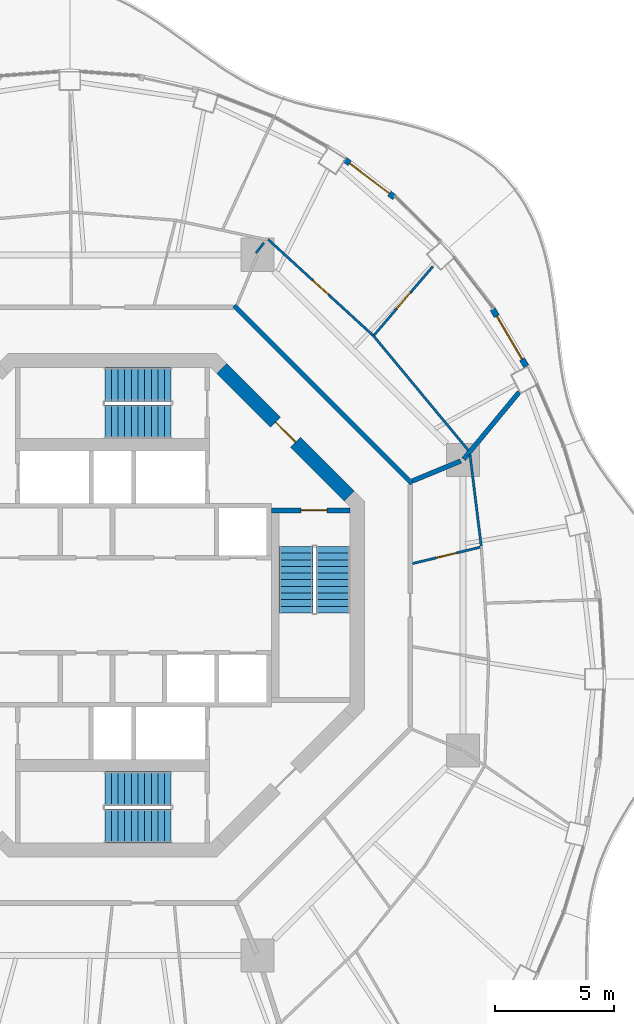
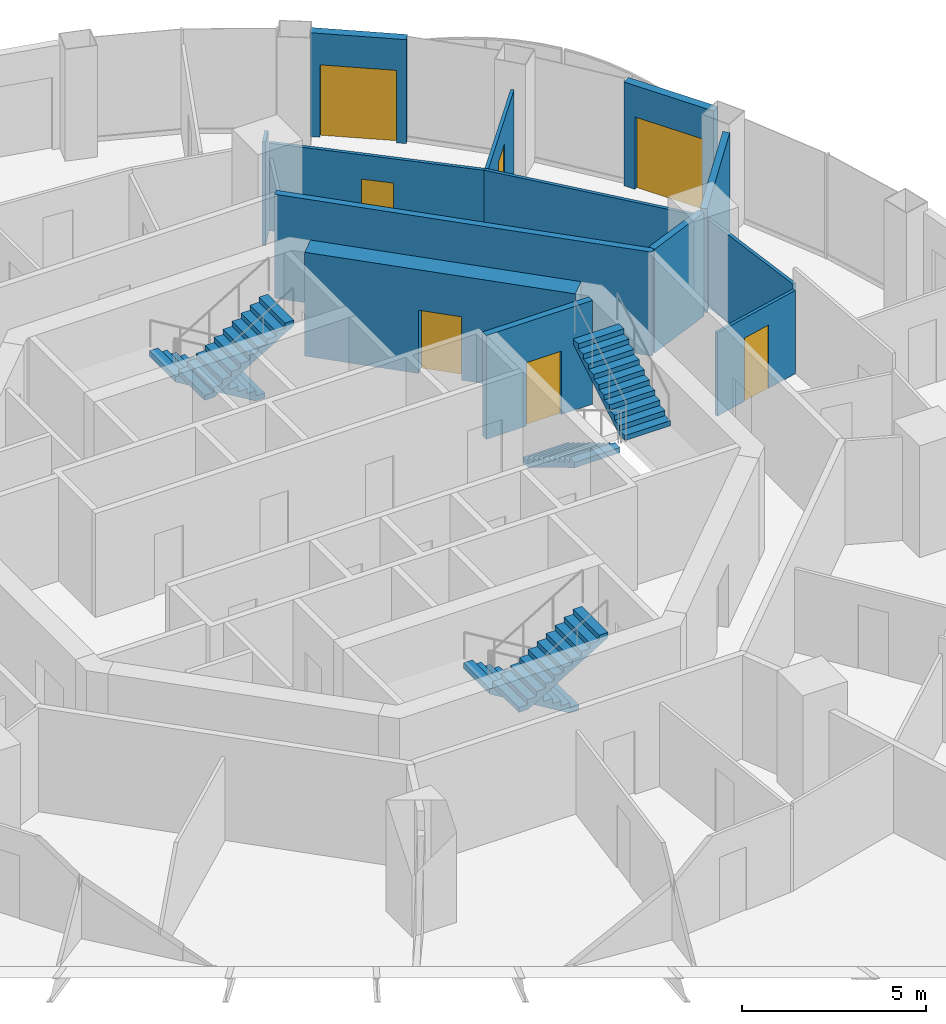
# One storey, part 14 of 17: 13 walls, 7 doors, 6 stair flights, 7 openings, 3 elements without a shape of their own.
"""IFC4 building model written with IfcOpenShell, lengths in metres."""

from ifc_helpers import new_model, si_unit, direction, frame, frame_2d, origin, place, context, subcontext, project, spatial, polyline, rectangle, outline, extrude, material, layer, layer_set, type_object, element, fill, aggregate, save


model = new_model("IFC4")

# Units and contexts
model_context = context("Model", 3, precision=1e-05, world=origin(), true_north=direction((0.0, 1.0)))
body_context = subcontext(model_context, "Body", "Model", "MODEL_VIEW")
ifc_project = project(units=[si_unit("LENGTHUNIT", "METRE"), si_unit("AREAUNIT", "SQUARE_METRE"), si_unit("VOLUMEUNIT", "CUBIC_METRE"), si_unit("PLANEANGLEUNIT", "RADIAN"), si_unit("MASSUNIT", "GRAM", prefix="KILO")], contexts=[model_context])

# Site, building, storey
site_placement = place(None, origin())
site = spatial("IfcSite", under=ifc_project, at=site_placement, CompositionType="ELEMENT")
building_placement = place(site_placement, origin())
building = spatial("IfcBuilding", under=site, at=building_placement, Name="Nagisa Residences", CompositionType="ELEMENT")
storey_placement = place(building_placement, frame((0.0, 0.0, 277.0)))
storey = spatial("IfcBuildingStorey", under=building, at=storey_placement, Name="L70", CompositionType="ELEMENT", Elevation=277.0)

# Walls
ifc_material_1 = material(Name="Gypsum board on steel studs", Category="steel")
ifc_layer_1 = layer(ifc_material_1, 0.199951171875)
ifc_layer_set_1 = layer_set([ifc_layer_1], Name="Apartment compartment wall EI60 200")
wall_type_1 = type_object("IfcWallType", Name="Apartment compartment wall EI60 200", PredefinedType="PARTITIONING", material=ifc_layer_set_1)
wall_1_placement = place(storey_placement, frame((12.6572265625, 5.24267578125, 0.0), z_axis=(0.0, 0.0, 1.0), x_axis=(0.923853160736, 0.382747093259, 0.0)))
element("IfcWall", 1, at=wall_1_placement, inside=storey, type_object=wall_type_1, Name="wall:L70:u00", PredefinedType="PARTITIONING", context=body_context, shape_type="SweptSolid", body=[
    extrude(rectangle(XDim=2.199951171875, YDim=0.199951171875, at=frame_2d((1.10009765625, 0.0))), origin(), (0.0, 0.0, 1.0), 3.43994140625),
])
wall_2_placement = place(storey_placement, frame((14.81396484375, 6.161376953125, 0.0), z_axis=(0.0, 0.0, 1.0), x_axis=(0.638050520313, 0.769994502272, 0.0)))
element("IfcWall", 2, at=wall_2_placement, inside=storey, type_object=wall_type_1, Name="wall:L70:u01", PredefinedType="PARTITIONING", context=body_context, shape_type="SweptSolid", body=[
    extrude(rectangle(XDim=3.6728515625, YDim=0.199951171875, at=frame_2d((1.83642578125, 0.0))), origin(), (0.0, 0.0, 1.0), 3.43994140625),
])
ifc_material_2 = material(Name="Gypsum board on steel studs", Category="steel")
ifc_layer_2 = layer(ifc_material_2, 0.199951171875)
ifc_layer_set_2 = layer_set([ifc_layer_2], Name="Apartment entry wall EI60 200")
wall_type_2 = type_object("IfcWallType", Name="Apartment entry wall EI60 200", PredefinedType="PARTITIONING", material=ifc_layer_set_2)
wall_3_placement = place(storey_placement, frame((12.635498046875, 5.1337890625, 0.0), z_axis=(0.0, 0.0, 1.0), x_axis=(-0.707106781187, 0.707106781187, 0.0)))
element("IfcWall", 3, at=wall_3_placement, inside=storey, type_object=wall_type_2, Name="wall:L70:u11", PredefinedType="PARTITIONING", context=body_context, shape_type="SweptSolid", body=[
    extrude(rectangle(XDim=10.609130859375, YDim=0.199951171875, at=frame_2d((5.3046875, 0.0))), origin(), (0.0, 0.0, 1.0), 3.43994140625),
])

# Wall, opening, door
ifc_material_3 = material(Name="Gypsum board on steel studs", Category="steel")
ifc_layer_3 = layer(ifc_material_3, 0.10009765625)
ifc_layer_set_3 = layer_set([ifc_layer_3], Name="Apartment partition 100")
wall_type_3 = type_object("IfcWallType", Name="Apartment partition 100", PredefinedType="PARTITIONING", material=ifc_layer_set_3)
wall_4_placement = place(storey_placement, frame((12.661865234375, 1.75830078125, 0.0), z_axis=(0.0, 0.0, 1.0), x_axis=(0.972004827836, 0.234960879007, 0.0)))
wall_4 = element("IfcWall", 4, at=wall_4_placement, inside=storey, type_object=wall_type_3, Name="wall:L70:u22", PredefinedType="PARTITIONING", context=body_context, shape_type="SweptSolid", body=[
    extrude(rectangle(XDim=2.93017578125, YDim=0.10009765625, at=frame_2d((1.465087890625, 0.0))), origin(), (0.0, 0.0, 1.0), 2.761962890625),
])
opening_1_placement = place(wall_4_placement, frame((1.014892578125, 0.0, 0.0)))
opening_1 = element("IfcOpeningElement", 5, at=opening_1_placement, cuts=wall_4, Name="Opening L70-U33", PredefinedType="OPENING", context=body_context, shape_type="SweptSolid", body=[
    extrude(rectangle(XDim=0.89990234375, YDim=2.10009765625, at=frame_2d((0.449951171875, 1.050048828125))), frame((0.0, 0.06005859375, 0.0), z_axis=(0.0, -1.0, 0.0), x_axis=(1.0, 0.0, 0.0)), (0.0, 0.0, 1.0), 0.1201171875),
])
ifc_material_4 = material(Name="Timber door set", Category="wood")
door_type_1 = type_object("IfcDoorType", Name="Apartment door 900x2100", OperationType="NOTDEFINED", PredefinedType="DOOR", material=ifc_material_4)
door_1_placement = place(opening_1_placement, origin())
door_1 = element("IfcDoor", 6, at=door_1_placement, inside=storey, type_object=door_type_1, Name="Door to laundry, Apartment 70E", OperationType="SINGLE_SWING_LEFT", OverallHeight=2.10009765625, OverallWidth=0.89990234375, PredefinedType="DOOR", context=body_context, shape_type="SweptSolid", body=[
    extrude(rectangle(XDim=0.89990234375, YDim=2.10009765625, at=frame_2d((0.449951171875, 1.050048828125))), frame((0.0, 0.02490234375, 0.0), z_axis=(0.0, -1.0, 0.0), x_axis=(1.0, 0.0, 0.0)), (0.0, 0.0, 1.0), 0.050048828125),
])
fill(opening_1, door_1)

# Walls
wall_5_placement = place(storey_placement, frame((15.552490234375, 2.50830078125, 0.0), z_axis=(0.0, 0.0, 1.0), x_axis=(-0.12196293976, 0.992534654974, 0.0)))
element("IfcWall", 7, at=wall_5_placement, inside=storey, type_object=wall_type_3, Name="wall:L70:u23", PredefinedType="PARTITIONING", context=body_context, shape_type="SweptSolid", body=[
    extrude(rectangle(XDim=3.887451171875, YDim=0.10009765625, at=frame_2d((1.94384765625, 0.0))), origin(), (0.0, 0.0, 1.0), 2.905029296875),
])
wall_6_placement = place(storey_placement, frame((15.00244140625, 6.54296875, 0.0), z_axis=(0.0, 0.0, 1.0), x_axis=(-0.637932656528, 0.770092154054, 0.0)))
element("IfcWall", 8, at=wall_6_placement, inside=storey, type_object=wall_type_3, Name="wall:L70:u24", PredefinedType="PARTITIONING", context=body_context, shape_type="SweptSolid", body=[
    extrude(rectangle(XDim=6.310546875, YDim=0.10009765625, at=frame_2d((3.1552734375, 0.0))), origin(), (0.0, 0.0, 1.0), 2.905029296875),
])

# Wall, opening, door
wall_7_placement = place(storey_placement, frame((11.041259765625, 11.402099609375, 0.0), z_axis=(0.0, 0.0, 1.0), x_axis=(0.650558544325, 0.759456108282, 0.0)))
wall_7 = element("IfcWall", 9, at=wall_7_placement, inside=storey, type_object=wall_type_3, Name="wall:L70:u25", PredefinedType="PARTITIONING", context=body_context, shape_type="SweptSolid", body=[
    extrude(rectangle(XDim=3.800048828125, YDim=0.10009765625, at=frame_2d((1.89990234375, 0.0))), origin(), (0.0, 0.0, 1.0), 2.905029296875),
])
opening_2_placement = place(wall_7_placement, frame((1.4501953125, 0.0, 0.0)))
opening_2 = element("IfcOpeningElement", 10, at=opening_2_placement, cuts=wall_7, Name="Opening L70-U08", PredefinedType="OPENING", context=body_context, shape_type="SweptSolid", body=[
    extrude(rectangle(XDim=0.89990234375, YDim=2.10009765625, at=frame_2d((0.449951171875, 1.050048828125))), frame((0.0, 0.06005859375, 0.0), z_axis=(0.0, -1.0, 0.0), x_axis=(1.0, 0.0, 0.0)), (0.0, 0.0, 1.0), 0.1201171875),
])
door_2_placement = place(opening_2_placement, frame((0.89990234375, 0.0, 0.0), x_axis=(-1.0, 0.0, 0.0)))
door_2 = element("IfcDoor", 11, at=door_2_placement, inside=storey, type_object=door_type_1, Name="Door to bedroom, Apartment 70A", OperationType="SINGLE_SWING_LEFT", OverallHeight=2.10009765625, OverallWidth=0.89990234375, PredefinedType="DOOR", context=body_context, shape_type="SweptSolid", body=[
    extrude(rectangle(XDim=0.89990234375, YDim=2.10009765625, at=frame_2d((0.449951171875, 1.050048828125))), frame((0.0, 0.02490234375, 0.0), z_axis=(0.0, -1.0, 0.0), x_axis=(1.0, 0.0, 0.0)), (0.0, 0.0, 1.0), 0.050048828125),
])
fill(opening_2, door_2)

wall_8_placement = place(storey_placement, frame((10.9716796875, 11.397705078125, 0.0), z_axis=(0.0, 0.0, 1.0), x_axis=(-0.737838738013, 0.674977034193, 0.0)))
wall_8 = element("IfcWall", 12, at=wall_8_placement, inside=storey, type_object=wall_type_3, Name="wall:L70:u26", PredefinedType="PARTITIONING", context=body_context, shape_type="SweptSolid", body=[
    extrude(rectangle(XDim=5.97705078125, YDim=0.10009765625, at=frame_2d((2.988525390625, 0.0))), origin(), (0.0, 0.0, 1.0), 2.905029296875),
])
opening_3_placement = place(wall_8_placement, frame((2.513671875, 0.0, 0.0)))
opening_3 = element("IfcOpeningElement", 13, at=opening_3_placement, cuts=wall_8, Name="Opening L70-U07", PredefinedType="OPENING", context=body_context, shape_type="SweptSolid", body=[
    extrude(rectangle(XDim=0.89990234375, YDim=2.10009765625, at=frame_2d((0.449951171875, 1.050048828125))), frame((0.0, 0.06005859375, 0.0), z_axis=(0.0, -1.0, 0.0), x_axis=(1.0, 0.0, 0.0)), (0.0, 0.0, 1.0), 0.1201171875),
])
door_3_placement = place(opening_3_placement, origin())
door_3 = element("IfcDoor", 14, at=door_3_placement, inside=storey, type_object=door_type_1, Name="Door to store, Apartment 70A", OperationType="SINGLE_SWING_LEFT", OverallHeight=2.10009765625, OverallWidth=0.89990234375, PredefinedType="DOOR", context=body_context, shape_type="SweptSolid", body=[
    extrude(rectangle(XDim=0.89990234375, YDim=2.10009765625, at=frame_2d((0.449951171875, 1.050048828125))), frame((0.0, 0.02490234375, 0.0), z_axis=(0.0, -1.0, 0.0), x_axis=(1.0, 0.0, 0.0)), (0.0, 0.0, 1.0), 0.050048828125),
])
fill(opening_3, door_3)

# Wall
wall_9_placement = place(storey_placement, frame((6.38818359375, 15.289794921875, 0.0), z_axis=(0.0, 0.0, 1.0), x_axis=(-0.610612392422, -0.791929609385, 0.0)))
element("IfcWall", 15, at=wall_9_placement, inside=storey, type_object=wall_type_3, Name="wall:L70:u67", PredefinedType="PARTITIONING", context=body_context, shape_type="SweptSolid", body=[
    extrude(rectangle(XDim=0.54931640625, YDim=0.10009765625, at=frame_2d((0.274658203125, 0.0))), origin(), (0.0, 0.0, 1.0), 3.43994140625),
])

# Wall, opening, door
ifc_material_5 = material(Name="Precast concrete C40/50", Category="concrete")
ifc_layer_4 = layer(ifc_material_5, 0.25)
ifc_layer_set_4 = layer_set([ifc_layer_4], Name="BALCONY DOOR WALL 250")
wall_type_4 = type_object("IfcWallType", Name="BALCONY DOOR WALL 250", PredefinedType="SOLIDWALL", material=ifc_layer_set_4)
wall_10_placement = place(storey_placement, frame((16.037841796875, 12.488525390625, 0.0), z_axis=(0.0, 0.0, 1.0), x_axis=(0.506371364425, -0.862315511452, 0.0)))
wall_10 = element("IfcWall", 16, at=wall_10_placement, inside=storey, type_object=wall_type_4, Name="wall:L70:bay04", PredefinedType="SOLIDWALL", context=body_context, shape_type="SweptSolid", body=[
    extrude(rectangle(XDim=2.79638671875, YDim=0.25, at=frame_2d((1.398193359375, 0.0))), origin(), (0.0, 0.0, 1.0), 3.43994140625),
])
opening_4_placement = place(wall_10_placement, frame((0.34814453125, 0.0, 0.0)))
opening_4 = element("IfcOpeningElement", 17, at=opening_4_placement, cuts=wall_10, Name="Opening BD-L70-02", PredefinedType="OPENING", context=body_context, shape_type="SweptSolid", body=[
    extrude(rectangle(XDim=2.10009765625, YDim=2.39990234375, at=frame_2d((1.050048828125, 1.199951171875))), frame((0.0, 0.135009765625, 0.0), z_axis=(0.0, -1.0, 0.0), x_axis=(1.0, 0.0, 0.0)), (0.0, 0.0, 1.0), 0.27001953125),
])
ifc_material_6 = material(Name="Aluminium and clear glass", Category="aluminium")
door_type_2 = type_object("IfcDoorType", Name="BALCONY SLIDING DOOR 2100x2400", OperationType="SLIDING_TO_LEFT", PredefinedType="DOOR", material=ifc_material_6)
door_4_placement = place(opening_4_placement, origin())
door_4 = element("IfcDoor", 18, at=door_4_placement, inside=storey, type_object=door_type_2, Name="door:L70:bay04", OperationType="SLIDING_TO_LEFT", OverallHeight=2.39990234375, OverallWidth=2.10009765625, PredefinedType="DOOR", context=body_context, shape_type="SweptSolid", body=[
    extrude(rectangle(XDim=2.10009765625, YDim=2.39990234375, at=frame_2d((1.050048828125, 1.199951171875))), frame((0.0, 0.02490234375, 0.0), z_axis=(0.0, -1.0, 0.0), x_axis=(1.0, 0.0, 0.0)), (0.0, 0.0, 1.0), 0.050048828125),
])
fill(opening_4, door_4)

wall_11_placement = place(storey_placement, frame((9.79248046875, 18.802001953125, 0.0), z_axis=(0.0, 0.0, 1.0), x_axis=(0.796010739377, -0.605282498339, 0.0)))
wall_11 = element("IfcWall", 19, at=wall_11_placement, inside=storey, type_object=wall_type_4, Name="wall:L70:bay07", PredefinedType="SOLIDWALL", context=body_context, shape_type="SweptSolid", body=[
    extrude(rectangle(XDim=2.640625, YDim=0.25, at=frame_2d((1.3203125, 0.0))), origin(), (0.0, 0.0, 1.0), 3.43994140625),
])
opening_5_placement = place(wall_11_placement, frame((0.270263671875, 0.0, 0.0)))
opening_5 = element("IfcOpeningElement", 20, at=opening_5_placement, cuts=wall_11, Name="Opening BD-L70-03", PredefinedType="OPENING", context=body_context, shape_type="SweptSolid", body=[
    extrude(rectangle(XDim=2.10009765625, YDim=2.39990234375, at=frame_2d((1.050048828125, 1.199951171875))), frame((0.0, 0.135009765625, 0.0), z_axis=(0.0, -1.0, 0.0), x_axis=(1.0, 0.0, 0.0)), (0.0, 0.0, 1.0), 0.27001953125),
])
door_5_placement = place(opening_5_placement, origin())
door_5 = element("IfcDoor", 21, at=door_5_placement, inside=storey, type_object=door_type_2, Name="door:L70:bay07", OperationType="SLIDING_TO_LEFT", OverallHeight=2.39990234375, OverallWidth=2.10009765625, PredefinedType="DOOR", context=body_context, shape_type="SweptSolid", body=[
    extrude(rectangle(XDim=2.10009765625, YDim=2.39990234375, at=frame_2d((1.050048828125, 1.199951171875))), frame((0.0, 0.02490234375, 0.0), z_axis=(0.0, -1.0, 0.0), x_axis=(1.0, 0.0, 0.0)), (0.0, 0.0, 1.0), 0.050048828125),
])
fill(opening_5, door_5)

ifc_material_7 = material(Name="Concrete C60", Category="concrete")
ifc_layer_5 = layer(ifc_material_7, 0.60009765625)
ifc_layer_set_5 = layer_set([ifc_layer_5], Name="Core shear wall 600")
wall_type_5 = type_object("IfcWallType", Name="Core shear wall 600", PredefinedType="SHEAR", material=ifc_layer_set_5)
wall_12_placement = place(storey_placement, frame((9.98828125, 4.613037109375, 0.0), z_axis=(0.0, 0.0, 1.0), x_axis=(-0.707106781187, 0.707106781187, 0.0)))
wall_12 = element("IfcWall", 22, at=wall_12_placement, inside=storey, type_object=wall_type_5, Name="wall:L70:core:flat1", PredefinedType="SHEAR", context=body_context, shape_type="SweptSolid", body=[
    extrude(rectangle(XDim=7.601806640625, YDim=0.60009765625, at=frame_2d((3.80078125, 0.0))), origin(), (0.0, 0.0, 1.0), 3.43994140625),
])
opening_6_placement = place(wall_12_placement, frame((3.200927734375, 0.0, 0.0)))
opening_6 = element("IfcOpeningElement", 23, at=opening_6_placement, cuts=wall_12, Name="Opening L70-C21", PredefinedType="OPENING", context=body_context, shape_type="SweptSolid", body=[
    extrude(rectangle(XDim=1.199951171875, YDim=2.10009765625, at=frame_2d((0.60009765625, 1.050048828125))), frame((0.0, 0.31005859375, 0.0), z_axis=(0.0, -1.0, 0.0), x_axis=(1.0, 0.0, 0.0)), (0.0, 0.0, 1.0), 0.6201171875),
])
ifc_material_8 = material(Name="Steel fire door", Category="steel")
door_type_3 = type_object("IfcDoorType", Name="Fire door EI60 1200x2100 single swing", OperationType="NOTDEFINED", PredefinedType="DOOR", material=ifc_material_8)
door_6_placement = place(opening_6_placement, origin())
door_6 = element("IfcDoor", 24, at=door_6_placement, inside=storey, type_object=door_type_3, Name="Firefighting lobby 1 door L70", OperationType="SINGLE_SWING_RIGHT", OverallHeight=2.10009765625, OverallWidth=1.199951171875, PredefinedType="DOOR", context=body_context, shape_type="SweptSolid", body=[
    extrude(rectangle(XDim=1.199951171875, YDim=2.10009765625, at=frame_2d((0.60009765625, 1.050048828125))), frame((0.0, 0.02490234375, 0.0), z_axis=(0.0, -1.0, 0.0), x_axis=(1.0, 0.0, 0.0)), (0.0, 0.0, 1.0), 0.050048828125),
])
fill(opening_6, door_6)

ifc_material_9 = material(Name="Concrete C60", Category="concrete")
ifc_layer_6 = layer(ifc_material_9, 0.199951171875)
ifc_layer_set_6 = layer_set([ifc_layer_6], Name="Stair enclosure wall 200")
wall_type_6 = type_object("IfcWallType", Name="Stair enclosure wall 200", PredefinedType="SOLIDWALL", material=ifc_layer_set_6)
wall_13_placement = place(storey_placement, frame((6.699951171875, 4.0, 0.0), z_axis=(0.0, 0.0, 1.0), x_axis=(1.0, 0.0, 0.0)))
wall_13 = element("IfcWall", 25, at=wall_13_placement, inside=storey, type_object=wall_type_6, Name="wall:L70:SE_n", PredefinedType="SOLIDWALL", context=body_context, shape_type="SweptSolid", body=[
    extrude(rectangle(XDim=3.32470703125, YDim=0.199951171875, at=frame_2d((1.662353515625, 0.0))), origin(), (0.0, 0.0, 1.0), 3.43994140625),
])
opening_7_placement = place(wall_13_placement, frame((1.25, 0.0, 0.0)))
opening_7 = element("IfcOpeningElement", 26, at=opening_7_placement, cuts=wall_13, Name="Opening L70-C07", PredefinedType="OPENING", context=body_context, shape_type="SweptSolid", body=[
    extrude(rectangle(XDim=1.10009765625, YDim=2.10009765625, at=frame_2d((0.550048828125, 1.050048828125))), frame((0.0, 0.10986328125, 0.0), z_axis=(0.0, -1.0, 0.0), x_axis=(1.0, 0.0, 0.0)), (0.0, 0.0, 1.0), 0.219970703125),
])
ifc_material_10 = material(Name="Steel fire door", Category="steel")
door_type_4 = type_object("IfcDoorType", Name="Fire door EI90 1100x2100 single swing", OperationType="NOTDEFINED", PredefinedType="DOOR", material=ifc_material_10)
door_7_placement = place(opening_7_placement, frame((1.10009765625, 0.0, 0.0), x_axis=(-1.0, 0.0, 0.0)))
door_7 = element("IfcDoor", 27, at=door_7_placement, inside=storey, type_object=door_type_4, Name="Stair door ST-E L70", OperationType="SINGLE_SWING_RIGHT", OverallHeight=2.10009765625, OverallWidth=1.10009765625, PredefinedType="DOOR", context=body_context, shape_type="SweptSolid", body=[
    extrude(rectangle(XDim=1.10009765625, YDim=2.10009765625, at=frame_2d((0.550048828125, 1.050048828125))), frame((0.0, 0.02490234375, 0.0), z_axis=(0.0, -1.0, 0.0), x_axis=(1.0, 0.0, 0.0)), (0.0, 0.0, 1.0), 0.050048828125),
])
fill(opening_7, door_7)

# Stair, stair flights
ifc_material_11 = material(Name="Concrete C60", Category="concrete")
stair_type = type_object("IfcStairType", Name="Exit stair", PredefinedType="HALF_TURN_STAIR", material=ifc_material_11)
stair_1_placement = place(storey_placement, origin())
stair_1 = element("IfcStair", 28, at=stair_1_placement, inside=storey, type_object=stair_type, Name="L70 Exit stair E", PredefinedType="HALF_TURN_STAIR")
ifc_material_12 = material(Name="Concrete C60", Category="concrete")
stair_flight_type = type_object("IfcStairFlightType", Name="Exit stair flight", PredefinedType="STRAIGHT", material=ifc_material_12)
stair_flight_1_placement = place(storey_placement, frame((7.737060546875, 2.47509765625, 0.0), z_axis=(0.0, 0.0, 1.0), x_axis=(0.0, -1.0, 0.0)))
stair_flight_1 = element("IfcStairFlight", 29, at=stair_flight_1_placement, type_object=stair_flight_type, Name="ST-E flight 1", NumberOfRisers=11, NumberOfTreads=10, PredefinedType="STRAIGHT", RiserHeight=0.168181818, TreadLength=0.28, context=body_context, shape_type="SweptSolid", body=[
    extrude(outline(polyline([(0.0, 0.0), (0.0, 0.168212890625), (0.280029296875, 0.168212890625), (0.280029296875, 0.33642578125), (0.56005859375, 0.33642578125), (0.56005859375, 0.504638671875), (0.840087890625, 0.504638671875), (0.840087890625, 0.672607421875), (1.1201171875, 0.672607421875), (1.1201171875, 0.8408203125), (1.39990234375, 0.8408203125), (1.39990234375, 1.009033203125), (1.679931640625, 1.009033203125), (1.679931640625, 1.17724609375), (1.9599609375, 1.17724609375), (1.9599609375, 1.345458984375), (2.239990234375, 1.345458984375), (2.239990234375, 1.513671875), (2.52001953125, 1.513671875), (2.52001953125, 1.681884765625), (2.800048828125, 1.681884765625), (2.800048828125, 1.85009765625), (2.800048828125, 1.5068359375), (0.291015625, 0.0), (0.0, 0.0)])), frame((0.0, 0.71240234375, 0.0), z_axis=(0.0, -1.0, 0.0), x_axis=(1.0, 0.0, 0.0)), (0.0, 0.0, 1.0), 1.425048828125),
])
stair_flight_2_placement = place(storey_placement, frame((9.31201171875, -0.324951171875, 1.85009765625), z_axis=(0.0, 0.0, 1.0), x_axis=(0.0, 1.0, 0.0)))
stair_flight_2 = element("IfcStairFlight", 30, at=stair_flight_2_placement, type_object=stair_flight_type, Name="ST-E flight 2", NumberOfRisers=11, NumberOfTreads=10, PredefinedType="STRAIGHT", RiserHeight=0.168181818, TreadLength=0.28, context=body_context, shape_type="SweptSolid", body=[
    extrude(outline(polyline([(0.0, 0.0), (0.0, 0.168212890625), (0.280029296875, 0.168212890625), (0.280029296875, 0.33642578125), (0.56005859375, 0.33642578125), (0.56005859375, 0.504638671875), (0.840087890625, 0.504638671875), (0.840087890625, 0.672607421875), (1.1201171875, 0.672607421875), (1.1201171875, 0.8408203125), (1.39990234375, 0.8408203125), (1.39990234375, 1.009033203125), (1.679931640625, 1.009033203125), (1.679931640625, 1.17724609375), (1.9599609375, 1.17724609375), (1.9599609375, 1.345458984375), (2.239990234375, 1.345458984375), (2.239990234375, 1.513671875), (2.52001953125, 1.513671875), (2.52001953125, 1.681884765625), (2.800048828125, 1.681884765625), (2.800048828125, 1.85009765625), (2.800048828125, 1.5068359375), (0.291015625, 0.0), (0.0, 0.0)])), frame((0.0, 0.71240234375, 0.0), z_axis=(0.0, -1.0, 0.0), x_axis=(1.0, 0.0, 0.0)), (0.0, 0.0, 1.0), 1.425048828125),
])
aggregate(stair_1, [stair_flight_1, stair_flight_2])

stair_2_placement = place(storey_placement, origin())
stair_2 = element("IfcStair", 31, at=stair_2_placement, inside=storey, type_object=stair_type, Name="L70 Exit stair N", PredefinedType="HALF_TURN_STAIR")
stair_flight_3_placement = place(storey_placement, frame((2.47509765625, 9.31201171875, 0.0), z_axis=(0.0, 0.0, 1.0), x_axis=(-1.0, 0.0, 0.0)))
stair_flight_3 = element("IfcStairFlight", 32, at=stair_flight_3_placement, type_object=stair_flight_type, Name="ST-N flight 1", NumberOfRisers=11, NumberOfTreads=10, PredefinedType="STRAIGHT", RiserHeight=0.168181818, TreadLength=0.28, context=body_context, shape_type="SweptSolid", body=[
    extrude(outline(polyline([(0.0, 0.0), (0.0, 0.168212890625), (0.280029296875, 0.168212890625), (0.280029296875, 0.33642578125), (0.56005859375, 0.33642578125), (0.56005859375, 0.504638671875), (0.840087890625, 0.504638671875), (0.840087890625, 0.672607421875), (1.1201171875, 0.672607421875), (1.1201171875, 0.8408203125), (1.39990234375, 0.8408203125), (1.39990234375, 1.009033203125), (1.679931640625, 1.009033203125), (1.679931640625, 1.17724609375), (1.9599609375, 1.17724609375), (1.9599609375, 1.345458984375), (2.239990234375, 1.345458984375), (2.239990234375, 1.513671875), (2.52001953125, 1.513671875), (2.52001953125, 1.681884765625), (2.800048828125, 1.681884765625), (2.800048828125, 1.85009765625), (2.800048828125, 1.5068359375), (0.291015625, 0.0), (0.0, 0.0)])), frame((0.0, 0.71240234375, 0.0), z_axis=(0.0, -1.0, 0.0), x_axis=(1.0, 0.0, 0.0)), (0.0, 0.0, 1.0), 1.425048828125),
])
stair_flight_4_placement = place(storey_placement, frame((-0.324951171875, 7.737060546875, 1.85009765625), z_axis=(0.0, 0.0, 1.0), x_axis=(1.0, 0.0, 0.0)))
stair_flight_4 = element("IfcStairFlight", 33, at=stair_flight_4_placement, type_object=stair_flight_type, Name="ST-N flight 2", NumberOfRisers=11, NumberOfTreads=10, PredefinedType="STRAIGHT", RiserHeight=0.168181818, TreadLength=0.28, context=body_context, shape_type="SweptSolid", body=[
    extrude(outline(polyline([(0.0, 0.0), (0.0, 0.168212890625), (0.280029296875, 0.168212890625), (0.280029296875, 0.33642578125), (0.56005859375, 0.33642578125), (0.56005859375, 0.504638671875), (0.840087890625, 0.504638671875), (0.840087890625, 0.672607421875), (1.1201171875, 0.672607421875), (1.1201171875, 0.8408203125), (1.39990234375, 0.8408203125), (1.39990234375, 1.009033203125), (1.679931640625, 1.009033203125), (1.679931640625, 1.17724609375), (1.9599609375, 1.17724609375), (1.9599609375, 1.345458984375), (2.239990234375, 1.345458984375), (2.239990234375, 1.513671875), (2.52001953125, 1.513671875), (2.52001953125, 1.681884765625), (2.800048828125, 1.681884765625), (2.800048828125, 1.85009765625), (2.800048828125, 1.5068359375), (0.291015625, 0.0), (0.0, 0.0)])), frame((0.0, 0.71240234375, 0.0), z_axis=(0.0, -1.0, 0.0), x_axis=(1.0, 0.0, 0.0)), (0.0, 0.0, 1.0), 1.425048828125),
])
aggregate(stair_2, [stair_flight_3, stair_flight_4])

stair_3_placement = place(storey_placement, origin())
stair_3 = element("IfcStair", 34, at=stair_3_placement, inside=storey, type_object=stair_type, Name="L70 Exit stair S", PredefinedType="HALF_TURN_STAIR")
stair_flight_5_placement = place(storey_placement, frame((2.47509765625, -7.737060546875, 0.0), z_axis=(0.0, 0.0, 1.0), x_axis=(-1.0, 0.0, 0.0)))
stair_flight_5 = element("IfcStairFlight", 35, at=stair_flight_5_placement, type_object=stair_flight_type, Name="ST-S flight 1", NumberOfRisers=11, NumberOfTreads=10, PredefinedType="STRAIGHT", RiserHeight=0.168181818, TreadLength=0.28, context=body_context, shape_type="SweptSolid", body=[
    extrude(outline(polyline([(0.0, 0.0), (0.0, 0.168212890625), (0.280029296875, 0.168212890625), (0.280029296875, 0.33642578125), (0.56005859375, 0.33642578125), (0.56005859375, 0.504638671875), (0.840087890625, 0.504638671875), (0.840087890625, 0.672607421875), (1.1201171875, 0.672607421875), (1.1201171875, 0.8408203125), (1.39990234375, 0.8408203125), (1.39990234375, 1.009033203125), (1.679931640625, 1.009033203125), (1.679931640625, 1.17724609375), (1.9599609375, 1.17724609375), (1.9599609375, 1.345458984375), (2.239990234375, 1.345458984375), (2.239990234375, 1.513671875), (2.52001953125, 1.513671875), (2.52001953125, 1.681884765625), (2.800048828125, 1.681884765625), (2.800048828125, 1.85009765625), (2.800048828125, 1.5068359375), (0.291015625, 0.0), (0.0, 0.0)])), frame((0.0, 0.71240234375, 0.0), z_axis=(0.0, -1.0, 0.0), x_axis=(1.0, 0.0, 0.0)), (0.0, 0.0, 1.0), 1.425048828125),
])
stair_flight_6_placement = place(storey_placement, frame((-0.324951171875, -9.31201171875, 1.85009765625), z_axis=(0.0, 0.0, 1.0), x_axis=(1.0, 0.0, 0.0)))
stair_flight_6 = element("IfcStairFlight", 36, at=stair_flight_6_placement, type_object=stair_flight_type, Name="ST-S flight 2", NumberOfRisers=11, NumberOfTreads=10, PredefinedType="STRAIGHT", RiserHeight=0.168181818, TreadLength=0.28, context=body_context, shape_type="SweptSolid", body=[
    extrude(outline(polyline([(0.0, 0.0), (0.0, 0.168212890625), (0.280029296875, 0.168212890625), (0.280029296875, 0.33642578125), (0.56005859375, 0.33642578125), (0.56005859375, 0.504638671875), (0.840087890625, 0.504638671875), (0.840087890625, 0.672607421875), (1.1201171875, 0.672607421875), (1.1201171875, 0.8408203125), (1.39990234375, 0.8408203125), (1.39990234375, 1.009033203125), (1.679931640625, 1.009033203125), (1.679931640625, 1.17724609375), (1.9599609375, 1.17724609375), (1.9599609375, 1.345458984375), (2.239990234375, 1.345458984375), (2.239990234375, 1.513671875), (2.52001953125, 1.513671875), (2.52001953125, 1.681884765625), (2.800048828125, 1.681884765625), (2.800048828125, 1.85009765625), (2.800048828125, 1.5068359375), (0.291015625, 0.0), (0.0, 0.0)])), frame((0.0, 0.71240234375, 0.0), z_axis=(0.0, -1.0, 0.0), x_axis=(1.0, 0.0, 0.0)), (0.0, 0.0, 1.0), 1.425048828125),
])
aggregate(stair_3, [stair_flight_5, stair_flight_6])

save(model, "model.ifc")
